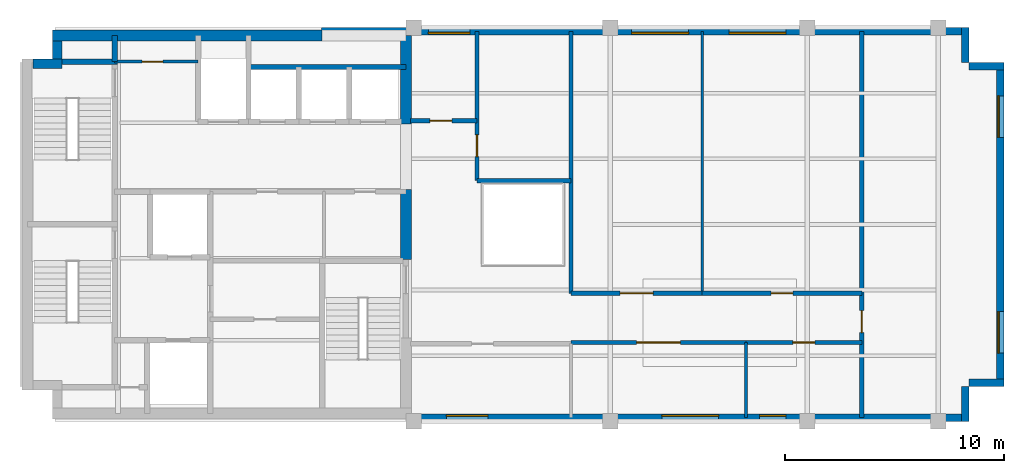
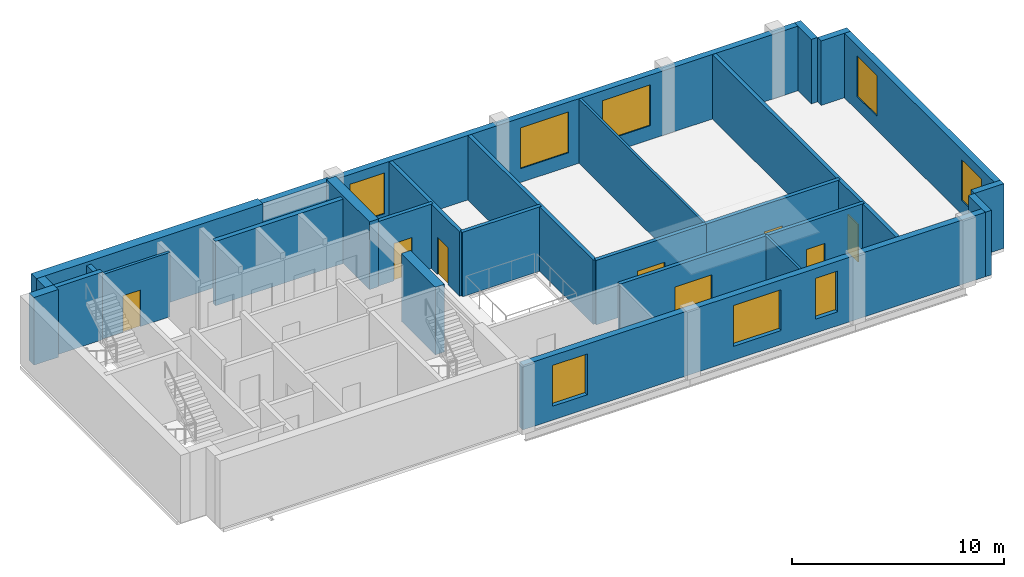
# One storey, part 3 of 5: 27 walls, 8 doors, 8 windows, 16 openings.
"""IFC4 building model written with IfcOpenShell, lengths in metres."""

from ifc_helpers import new_model, si_unit, direction, frame, frame_2d, origin, place, context, subcontext, project, spatial, rectangle, extrude, material, layer, layer_set, type_object, element, fill, save


model = new_model("IFC4")

# Units and contexts
model_context = context("Model", 3, precision=1e-05, world=origin(), true_north=direction((0.0, 1.0)))
body_context = subcontext(model_context, "Body", "Model", "MODEL_VIEW")
ifc_project = project(units=[si_unit("LENGTHUNIT", "METRE"), si_unit("AREAUNIT", "SQUARE_METRE"), si_unit("VOLUMEUNIT", "CUBIC_METRE"), si_unit("PLANEANGLEUNIT", "RADIAN"), si_unit("MASSUNIT", "GRAM", prefix="KILO")], contexts=[model_context])

# Site, building, storey
site_placement = place(None, origin())
site = spatial("IfcSite", under=ifc_project, at=site_placement, CompositionType="ELEMENT")
building_placement = place(site_placement, origin())
building = spatial("IfcBuilding", under=site, at=building_placement, Name="Mawjdan Bourse Tower", CompositionType="ELEMENT")
storey_placement = place(building_placement, frame((0.0, 0.0, 289.800048828125)))
storey = spatial("IfcBuildingStorey", under=building, at=storey_placement, Name="L71", CompositionType="ELEMENT", Elevation=289.800048828125)

# Wall, openings, windows
ifc_material_1 = material(Name="Brick Masonry Buff", Category="masonry")
ifc_layer_1 = layer(ifc_material_1, 0.340087890625)
ifc_layer_set_1 = layer_set([ifc_layer_1], Name="Brick Masonry Buff")
wall_type_1 = type_object("IfcWallType", Name="WL-BRK-SPN-340", PredefinedType="STANDARD", material=ifc_layer_set_1)
wall_1_placement = place(storey_placement, frame((23.89990234375, 3.169921875, 0.0), z_axis=(0.0, 0.0, 1.0), x_axis=(1.0, 0.0, 0.0)))
wall_1 = element("IfcWall", 1, at=wall_1_placement, inside=storey, type_object=wall_type_1, Name="L71 Exterior Brick Wall 1", PredefinedType="STANDARD", context=body_context, shape_type="SweptSolid", body=[
    extrude(rectangle(XDim=25.5, YDim=0.340087890625, at=frame_2d((12.75, 0.0))), origin(), (0.0, 0.0, 1.0), 3.71484375),
])
opening_1_placement = place(wall_1_placement, frame((1.60009765625, 0.0, 0.800048828125)))
opening_1 = element("IfcOpeningElement", 2, at=opening_1_placement, cuts=wall_1, Name="Opening W-L71-01", PredefinedType="OPENING", context=body_context, shape_type="SweptSolid", body=[
    extrude(rectangle(XDim=1.89990234375, YDim=2.35009765625, at=frame_2d((0.949951171875, 1.175048828125))), frame((0.0, 0.18017578125, 0.0), z_axis=(0.0, -1.0, 0.0), x_axis=(1.0, 0.0, 0.0)), (0.0, 0.0, 1.0), 0.360107421875),
])
opening_2_placement = place(wall_1_placement, frame((11.449951171875, 0.0, 0.800048828125)))
opening_2 = element("IfcOpeningElement", 3, at=opening_2_placement, cuts=wall_1, Name="Opening W-L71-02", PredefinedType="OPENING", context=body_context, shape_type="SweptSolid", body=[
    extrude(rectangle(XDim=2.60009765625, YDim=2.35009765625, at=frame_2d((1.300048828125, 1.175048828125))), frame((0.0, 0.18017578125, 0.0), z_axis=(0.0, -1.0, 0.0), x_axis=(1.0, 0.0, 0.0)), (0.0, 0.0, 1.0), 0.360107421875),
])
opening_3_placement = place(wall_1_placement, frame((15.9248046875, 0.0, 0.800048828125)))
opening_3 = element("IfcOpeningElement", 4, at=opening_3_placement, cuts=wall_1, Name="Opening W-L71-06", PredefinedType="OPENING", context=body_context, shape_type="SweptSolid", body=[
    extrude(rectangle(XDim=1.199951171875, YDim=2.35009765625, at=frame_2d((0.60009765625, 1.175048828125))), frame((0.0, 0.18017578125, 0.0), z_axis=(0.0, -1.0, 0.0), x_axis=(1.0, 0.0, 0.0)), (0.0, 0.0, 1.0), 0.360107421875),
])
ifc_material_2 = material(Name="Solar-Control Clear Double Glazing", Category="glass")
window_type_1 = type_object("IfcWindowType", Name="WN-SMT-1200", PartitioningType="SINGLE_PANEL", PredefinedType="WINDOW", material=ifc_material_2)
window_1_placement = place(opening_3_placement, origin())
window_1 = element("IfcWindow", 5, at=window_1_placement, inside=storey, type_object=window_type_1, Name="L71 Deep-Set Masonry Window W-L71-06", OverallHeight=2.35009765625, OverallWidth=1.199951171875, PartitioningType="SINGLE_PANEL", PredefinedType="WINDOW", context=body_context, shape_type="SweptSolid", body=[
    extrude(rectangle(XDim=1.199951171875, YDim=2.35009765625, at=frame_2d((0.60009765625, 1.175048828125))), frame((0.0, 0.110107421875, 0.0), z_axis=(0.0, -1.0, 0.0), x_axis=(1.0, 0.0, 0.0)), (0.0, 0.0, 1.0), 0.06005859375),
])
fill(opening_3, window_1)
window_type_2 = type_object("IfcWindowType", Name="WN-SMT-1900", PartitioningType="SINGLE_PANEL", PredefinedType="WINDOW", material=ifc_material_2)
window_2_placement = place(opening_1_placement, origin())
window_2 = element("IfcWindow", 6, at=window_2_placement, inside=storey, type_object=window_type_2, Name="L71 Deep-Set Masonry Window W-L71-01", OverallHeight=2.35009765625, OverallWidth=1.89990234375, PartitioningType="SINGLE_PANEL", PredefinedType="WINDOW", context=body_context, shape_type="SweptSolid", body=[
    extrude(rectangle(XDim=1.89990234375, YDim=2.35009765625, at=frame_2d((0.949951171875, 1.175048828125))), frame((0.0, 0.110107421875, 0.0), z_axis=(0.0, -1.0, 0.0), x_axis=(1.0, 0.0, 0.0)), (0.0, 0.0, 1.0), 0.06005859375),
])
fill(opening_1, window_2)
window_type_3 = type_object("IfcWindowType", Name="WN-SMT-2600", PartitioningType="SINGLE_PANEL", PredefinedType="WINDOW", material=ifc_material_2)
window_3_placement = place(opening_2_placement, origin())
window_3 = element("IfcWindow", 7, at=window_3_placement, inside=storey, type_object=window_type_3, Name="L71 Deep-Set Masonry Window W-L71-02", OverallHeight=2.35009765625, OverallWidth=2.60009765625, PartitioningType="SINGLE_PANEL", PredefinedType="WINDOW", context=body_context, shape_type="SweptSolid", body=[
    extrude(rectangle(XDim=2.60009765625, YDim=2.35009765625, at=frame_2d((1.300048828125, 1.175048828125))), frame((0.0, 0.110107421875, 0.0), z_axis=(0.0, -1.0, 0.0), x_axis=(1.0, 0.0, 0.0)), (0.0, 0.0, 1.0), 0.06005859375),
])
fill(opening_2, window_3)

# Walls
for number, where, z_axis, x_axis, name in (
    (8, (49.22998046875, 3.0, 0.0), (0.0, 0.0, 1.0), (0.0, 1.0, 0.0), "L71 Exterior Brick Wall 2"),
    (9, (49.39990234375, 4.77001953125, 0.0), (0.0, 0.0, 1.0), (1.0, 0.0, 0.0), "L71 Exterior Brick Wall 3"),
):
    element("IfcWall", number, at=place(storey_placement, frame(where, z_axis=z_axis, x_axis=x_axis)), inside=storey, type_object=wall_type_1, Name=name, PredefinedType="STANDARD", context=body_context, shape_type="SweptSolid", body=[
        extrude(rectangle(XDim=1.60009765625, YDim=0.340087890625, at=frame_2d((0.800048828125, 0.0))), origin(), (0.0, 0.0, 1.0), 3.71484375),
    ])

# Wall, openings, windows
wall_2_placement = place(storey_placement, frame((50.830078125, 4.60009765625, 0.0), z_axis=(0.0, 0.0, 1.0), x_axis=(0.0, 1.0, 0.0)))
wall_2 = element("IfcWall", 10, at=wall_2_placement, inside=storey, type_object=wall_type_1, Name="L71 Exterior Brick Wall 4", PredefinedType="STANDARD", context=body_context, shape_type="SweptSolid", body=[
    extrude(rectangle(XDim=14.7998046875, YDim=0.340087890625, at=frame_2d((7.39990234375, 0.0))), origin(), (0.0, 0.0, 1.0), 3.71484375),
])
opening_4_placement = place(wall_2_placement, frame((1.5166015625, 0.0, 0.800048828125)))
opening_4 = element("IfcOpeningElement", 11, at=opening_4_placement, cuts=wall_2, Name="Opening W-L71-03", PredefinedType="OPENING", context=body_context, shape_type="SweptSolid", body=[
    extrude(rectangle(XDim=1.89990234375, YDim=2.35009765625, at=frame_2d((0.949951171875, 1.175048828125))), frame((0.0, 0.18017578125, 0.0), z_axis=(0.0, -1.0, 0.0), x_axis=(1.0, 0.0, 0.0)), (0.0, 0.0, 1.0), 0.360107421875),
])
opening_5_placement = place(wall_2_placement, frame((11.38330078125, 0.0, 0.800048828125)))
opening_5 = element("IfcOpeningElement", 12, at=opening_5_placement, cuts=wall_2, Name="Opening W-L71-04", PredefinedType="OPENING", context=body_context, shape_type="SweptSolid", body=[
    extrude(rectangle(XDim=1.89990234375, YDim=2.35009765625, at=frame_2d((0.949951171875, 1.175048828125))), frame((0.0, 0.18017578125, 0.0), z_axis=(0.0, -1.0, 0.0), x_axis=(1.0, 0.0, 0.0)), (0.0, 0.0, 1.0), 0.360107421875),
])
window_4_placement = place(opening_4_placement, origin())
window_4 = element("IfcWindow", 13, at=window_4_placement, inside=storey, type_object=window_type_2, Name="L71 Deep-Set Masonry Window W-L71-03", OverallHeight=2.35009765625, OverallWidth=1.89990234375, PartitioningType="SINGLE_PANEL", PredefinedType="WINDOW", context=body_context, shape_type="SweptSolid", body=[
    extrude(rectangle(XDim=1.89990234375, YDim=2.35009765625, at=frame_2d((0.949951171875, 1.175048828125))), frame((0.0, 0.110107421875, 0.0), z_axis=(0.0, -1.0, 0.0), x_axis=(1.0, 0.0, 0.0)), (0.0, 0.0, 1.0), 0.06005859375),
])
fill(opening_4, window_4)
window_5_placement = place(opening_5_placement, origin())
window_5 = element("IfcWindow", 14, at=window_5_placement, inside=storey, type_object=window_type_2, Name="L71 Deep-Set Masonry Window W-L71-04", OverallHeight=2.35009765625, OverallWidth=1.89990234375, PartitioningType="SINGLE_PANEL", PredefinedType="WINDOW", context=body_context, shape_type="SweptSolid", body=[
    extrude(rectangle(XDim=1.89990234375, YDim=2.35009765625, at=frame_2d((0.949951171875, 1.175048828125))), frame((0.0, 0.110107421875, 0.0), z_axis=(0.0, -1.0, 0.0), x_axis=(1.0, 0.0, 0.0)), (0.0, 0.0, 1.0), 0.06005859375),
])
fill(opening_5, window_5)

# Walls
for number, where, z_axis, x_axis, name in (
    (15, (51.0, 19.22998046875, 0.0), (0.0, 0.0, 1.0), (-1.0, 0.0, 0.0), "L71 Exterior Brick Wall 5"),
    (16, (49.22998046875, 19.39990234375, 0.0), (0.0, 0.0, 1.0), (0.0, 1.0, 0.0), "L71 Exterior Brick Wall 6"),
):
    element("IfcWall", number, at=place(storey_placement, frame(where, z_axis=z_axis, x_axis=x_axis)), inside=storey, type_object=wall_type_1, Name=name, PredefinedType="STANDARD", context=body_context, shape_type="SweptSolid", body=[
        extrude(rectangle(XDim=1.60009765625, YDim=0.340087890625, at=frame_2d((0.800048828125, 0.0))), origin(), (0.0, 0.0, 1.0), 3.71484375),
    ])

# Wall, openings, windows
wall_3_placement = place(storey_placement, frame((49.39990234375, 20.830078125, 0.0), z_axis=(0.0, 0.0, 1.0), x_axis=(-1.0, 0.0, 0.0)))
wall_3 = element("IfcWall", 17, at=wall_3_placement, inside=storey, type_object=wall_type_1, Name="L71 Exterior Brick Wall 7", PredefinedType="STANDARD", context=body_context, shape_type="SweptSolid", body=[
    extrude(rectangle(XDim=29.619873046875, YDim=0.340087890625, at=frame_2d((14.81005859375, 0.0))), origin(), (0.0, 0.0, 1.0), 3.71484375),
])
opening_6_placement = place(wall_3_placement, frame((22.82568359375, 0.0, 0.800048828125)))
opening_6 = element("IfcOpeningElement", 18, at=opening_6_placement, cuts=wall_3, Name="Opening W-L71-05", PredefinedType="OPENING", context=body_context, shape_type="SweptSolid", body=[
    extrude(rectangle(XDim=1.89990234375, YDim=2.35009765625, at=frame_2d((0.949951171875, 1.175048828125))), frame((0.0, 0.18017578125, 0.0), z_axis=(0.0, -1.0, 0.0), x_axis=(1.0, 0.0, 0.0)), (0.0, 0.0, 1.0), 0.360107421875),
])
opening_7_placement = place(wall_3_placement, frame((12.82470703125, 0.0, 0.800048828125)))
opening_7 = element("IfcOpeningElement", 19, at=opening_7_placement, cuts=wall_3, Name="Opening W-L71-07", PredefinedType="OPENING", context=body_context, shape_type="SweptSolid", body=[
    extrude(rectangle(XDim=2.60009765625, YDim=2.35009765625, at=frame_2d((1.300048828125, 1.175048828125))), frame((0.0, 0.18017578125, 0.0), z_axis=(0.0, -1.0, 0.0), x_axis=(1.0, 0.0, 0.0)), (0.0, 0.0, 1.0), 0.360107421875),
])
opening_8_placement = place(wall_3_placement, frame((8.374755859375, 0.0, 0.800048828125)))
opening_8 = element("IfcOpeningElement", 20, at=opening_8_placement, cuts=wall_3, Name="Opening W-L71-08", PredefinedType="OPENING", context=body_context, shape_type="SweptSolid", body=[
    extrude(rectangle(XDim=2.60009765625, YDim=2.35009765625, at=frame_2d((1.300048828125, 1.175048828125))), frame((0.0, 0.18017578125, 0.0), z_axis=(0.0, -1.0, 0.0), x_axis=(1.0, 0.0, 0.0)), (0.0, 0.0, 1.0), 0.360107421875),
])
window_6_placement = place(opening_6_placement, origin())
window_6 = element("IfcWindow", 21, at=window_6_placement, inside=storey, type_object=window_type_2, Name="L71 Deep-Set Masonry Window W-L71-05", OverallHeight=2.35009765625, OverallWidth=1.89990234375, PartitioningType="SINGLE_PANEL", PredefinedType="WINDOW", context=body_context, shape_type="SweptSolid", body=[
    extrude(rectangle(XDim=1.89990234375, YDim=2.35009765625, at=frame_2d((0.949951171875, 1.175048828125))), frame((0.0, 0.110107421875, 0.0), z_axis=(0.0, -1.0, 0.0), x_axis=(1.0, 0.0, 0.0)), (0.0, 0.0, 1.0), 0.06005859375),
])
fill(opening_6, window_6)
window_7_placement = place(opening_7_placement, origin())
window_7 = element("IfcWindow", 22, at=window_7_placement, inside=storey, type_object=window_type_3, Name="L71 Deep-Set Masonry Window W-L71-07", OverallHeight=2.35009765625, OverallWidth=2.60009765625, PartitioningType="SINGLE_PANEL", PredefinedType="WINDOW", context=body_context, shape_type="SweptSolid", body=[
    extrude(rectangle(XDim=2.60009765625, YDim=2.35009765625, at=frame_2d((1.300048828125, 1.175048828125))), frame((0.0, 0.110107421875, 0.0), z_axis=(0.0, -1.0, 0.0), x_axis=(1.0, 0.0, 0.0)), (0.0, 0.0, 1.0), 0.06005859375),
])
fill(opening_7, window_7)
window_8_placement = place(opening_8_placement, origin())
window_8 = element("IfcWindow", 23, at=window_8_placement, inside=storey, type_object=window_type_3, Name="L71 Deep-Set Masonry Window W-L71-08", OverallHeight=2.35009765625, OverallWidth=2.60009765625, PartitioningType="SINGLE_PANEL", PredefinedType="WINDOW", context=body_context, shape_type="SweptSolid", body=[
    extrude(rectangle(XDim=2.60009765625, YDim=2.35009765625, at=frame_2d((1.300048828125, 1.175048828125))), frame((0.0, 0.110107421875, 0.0), z_axis=(0.0, -1.0, 0.0), x_axis=(1.0, 0.0, 0.0)), (0.0, 0.0, 1.0), 0.06005859375),
])
fill(opening_8, window_8)

# Wall, opening, door
ifc_material_3 = material(Name="Gypsum Fireboard Assembly")
ifc_layer_2 = layer(ifc_material_3, 0.199951171875)
ifc_layer_set_2 = layer_set([ifc_layer_2], Name="Gypsum Fireboard Assembly")
wall_type_2 = type_object("IfcWallType", Name="WL-CMP-200", PredefinedType="PARTITIONING", material=ifc_layer_set_2)
wall_4_placement = place(storey_placement, frame((23.85009765625, 16.75, 0.0), z_axis=(0.0, 0.0, 1.0), x_axis=(1.0, 0.0, 0.0)))
wall_4 = element("IfcWall", 24, at=wall_4_placement, inside=storey, type_object=wall_type_2, Name="L71 Summit NW Study South Wall", PredefinedType="PARTITIONING", context=body_context, shape_type="SweptSolid", body=[
    extrude(rectangle(XDim=3.0498046875, YDim=0.199951171875, at=frame_2d((1.52490234375, 0.0))), origin(), (0.0, 0.0, 1.0), 3.704833984375),
])
opening_9_placement = place(wall_4_placement, frame((0.89990234375, 0.0, 0.0)))
opening_9 = element("IfcOpeningElement", 25, at=opening_9_placement, cuts=wall_4, Name="Opening D-L71-18", PredefinedType="OPENING", context=body_context, shape_type="SweptSolid", body=[
    extrude(rectangle(XDim=1.0, YDim=2.14990234375, at=frame_2d((0.5, 1.074951171875))), frame((0.0, 0.10986328125, 0.0), z_axis=(0.0, -1.0, 0.0), x_axis=(1.0, 0.0, 0.0)), (0.0, 0.0, 1.0), 0.219970703125),
])
ifc_material_4 = material(Name="Hardwood Acoustic Leaf", Category="wood")
door_type_1 = type_object("IfcDoorType", Name="DR-OFC-1000", OperationType="NOTDEFINED", PredefinedType="DOOR", material=ifc_material_4)
door_1_placement = place(opening_9_placement, origin())
door_1 = element("IfcDoor", 26, at=door_1_placement, inside=storey, type_object=door_type_1, Name="L71 Summit NW Study Door D-L71-18", OperationType="SINGLE_SWING_LEFT", OverallHeight=2.14990234375, OverallWidth=1.0, PredefinedType="DOOR", context=body_context, shape_type="SweptSolid", body=[
    extrude(rectangle(XDim=1.0, YDim=2.14990234375, at=frame_2d((0.5, 1.074951171875))), frame((0.0, 0.02490234375, 0.0), z_axis=(0.0, -1.0, 0.0), x_axis=(1.0, 0.0, 0.0)), (0.0, 0.0, 1.0), 0.050048828125),
])
fill(opening_9, door_1)

wall_5_placement = place(storey_placement, frame((26.89990234375, 14.0, 0.0), z_axis=(0.0, 0.0, 1.0), x_axis=(0.0, 1.0, 0.0)))
wall_5 = element("IfcWall", 27, at=wall_5_placement, inside=storey, type_object=wall_type_2, Name="L71 Summit North Atrium Suite West Wall", PredefinedType="PARTITIONING", context=body_context, shape_type="SweptSolid", body=[
    extrude(rectangle(XDim=6.820068359375, YDim=0.199951171875, at=frame_2d((3.41015625, 0.0))), origin(), (0.0, 0.0, 1.0), 3.704833984375),
])
opening_10_placement = place(wall_5_placement, frame((1.10009765625, 0.0, 0.0)))
opening_10 = element("IfcOpeningElement", 28, at=opening_10_placement, cuts=wall_5, Name="Opening D-L71-19", PredefinedType="OPENING", context=body_context, shape_type="SweptSolid", body=[
    extrude(rectangle(XDim=1.0, YDim=2.14990234375, at=frame_2d((0.5, 1.074951171875))), frame((0.0, 0.10986328125, 0.0), z_axis=(0.0, -1.0, 0.0), x_axis=(1.0, 0.0, 0.0)), (0.0, 0.0, 1.0), 0.219970703125),
])
door_2_placement = place(opening_10_placement, origin())
door_2 = element("IfcDoor", 29, at=door_2_placement, inside=storey, type_object=door_type_1, Name="L71 Summit North Atrium Suite Door D-L71-19", OperationType="SINGLE_SWING_RIGHT", OverallHeight=2.14990234375, OverallWidth=1.0, PredefinedType="DOOR", context=body_context, shape_type="SweptSolid", body=[
    extrude(rectangle(XDim=1.0, YDim=2.14990234375, at=frame_2d((0.5, 1.074951171875))), frame((0.0, 0.02490234375, 0.0), z_axis=(0.0, -1.0, 0.0), x_axis=(1.0, 0.0, 0.0)), (0.0, 0.0, 1.0), 0.050048828125),
])
fill(opening_10, door_2)

# Walls
wall_6_placement = place(storey_placement, frame((26.89990234375, 14.0, 0.0), z_axis=(0.0, 0.0, 1.0), x_axis=(1.0, 0.0, 0.0)))
element("IfcWall", 30, at=wall_6_placement, inside=storey, type_object=wall_type_2, Name="L71 Summit North Atrium Suite South Wall", PredefinedType="PARTITIONING", context=body_context, shape_type="SweptSolid", body=[
    extrude(rectangle(XDim=4.300048828125, YDim=0.199951171875, at=frame_2d((2.14990234375, 0.0))), origin(), (0.0, 0.0, 1.0), 3.704833984375),
])
wall_7_placement = place(storey_placement, frame((31.199951171875, 8.85009765625, 0.0), z_axis=(0.0, 0.0, 1.0), x_axis=(0.0, 1.0, 0.0)))
element("IfcWall", 31, at=wall_7_placement, inside=storey, type_object=wall_type_2, Name="L71 Summit North Atrium Suite East Wall", PredefinedType="PARTITIONING", context=body_context, shape_type="SweptSolid", body=[
    extrude(rectangle(XDim=11.969970703125, YDim=0.199951171875, at=frame_2d((5.98486328125, 0.0))), origin(), (0.0, 0.0, 1.0), 3.704833984375),
])

# Wall, opening, door
wall_8_placement = place(storey_placement, frame((31.199951171875, 6.60009765625, 0.0), z_axis=(0.0, 0.0, 1.0), x_axis=(1.0, 0.0, 0.0)))
wall_8 = element("IfcWall", 32, at=wall_8_placement, inside=storey, type_object=wall_type_2, Name="L71 Summit Investment Hall Corridor Wall", PredefinedType="PARTITIONING", context=body_context, shape_type="SweptSolid", body=[
    extrude(rectangle(XDim=8.0, YDim=0.199951171875, at=frame_2d((4.0, 0.0))), origin(), (0.0, 0.0, 1.0), 3.704833984375),
])
opening_11_placement = place(wall_8_placement, frame((3.0, 0.0, 0.0)))
opening_11 = element("IfcOpeningElement", 33, at=opening_11_placement, cuts=wall_8, Name="Opening D-L71-20", PredefinedType="OPENING", context=body_context, shape_type="SweptSolid", body=[
    extrude(rectangle(XDim=2.0, YDim=2.5, at=frame_2d((1.0, 1.25))), frame((0.0, 0.10986328125, 0.0), z_axis=(0.0, -1.0, 0.0), x_axis=(1.0, 0.0, 0.0)), (0.0, 0.0, 1.0), 0.219970703125),
])
ifc_material_5 = material(Name="Acoustic Veneered Timber", Category="wood")
door_type_2 = type_object("IfcDoorType", Name="DR-ASM-2000", OperationType="DOUBLE_DOOR_SINGLE_SWING", PredefinedType="DOOR", material=ifc_material_5)
door_3_placement = place(opening_11_placement, origin())
door_3 = element("IfcDoor", 34, at=door_3_placement, inside=storey, type_object=door_type_2, Name="L71 Summit Investment Hall Door D-L71-20", OperationType="DOUBLE_DOOR_SINGLE_SWING", OverallHeight=2.5, OverallWidth=2.0, PredefinedType="DOOR", context=body_context, shape_type="SweptSolid", body=[
    extrude(rectangle(XDim=2.0, YDim=2.5, at=frame_2d((1.0, 1.25))), frame((0.0, 0.02490234375, 0.0), z_axis=(0.0, -1.0, 0.0), x_axis=(1.0, 0.0, 0.0)), (0.0, 0.0, 1.0), 0.050048828125),
])
fill(opening_11, door_3)

wall_9_placement = place(storey_placement, frame((39.199951171875, 6.60009765625, 0.0), z_axis=(0.0, 0.0, 1.0), x_axis=(1.0, 0.0, 0.0)))
wall_9 = element("IfcWall", 35, at=wall_9_placement, inside=storey, type_object=wall_type_2, Name="L71 Executive Office Corridor Wall", PredefinedType="PARTITIONING", context=body_context, shape_type="SweptSolid", body=[
    extrude(rectangle(XDim=5.300048828125, YDim=0.199951171875, at=frame_2d((2.64990234375, 0.0))), origin(), (0.0, 0.0, 1.0), 3.704833984375),
])
opening_12_placement = place(wall_9_placement, frame((2.14990234375, 0.0, 0.0)))
opening_12 = element("IfcOpeningElement", 36, at=opening_12_placement, cuts=wall_9, Name="Opening D-L71-21", PredefinedType="OPENING", context=body_context, shape_type="SweptSolid", body=[
    extrude(rectangle(XDim=1.0, YDim=2.14990234375, at=frame_2d((0.5, 1.074951171875))), frame((0.0, 0.10986328125, 0.0), z_axis=(0.0, -1.0, 0.0), x_axis=(1.0, 0.0, 0.0)), (0.0, 0.0, 1.0), 0.219970703125),
])
door_4_placement = place(opening_12_placement, origin())
door_4 = element("IfcDoor", 37, at=door_4_placement, inside=storey, type_object=door_type_1, Name="L71 Executive Office Door D-L71-21", OperationType="SINGLE_SWING_LEFT", OverallHeight=2.14990234375, OverallWidth=1.0, PredefinedType="DOOR", context=body_context, shape_type="SweptSolid", body=[
    extrude(rectangle(XDim=1.0, YDim=2.14990234375, at=frame_2d((0.5, 1.074951171875))), frame((0.0, 0.02490234375, 0.0), z_axis=(0.0, -1.0, 0.0), x_axis=(1.0, 0.0, 0.0)), (0.0, 0.0, 1.0), 0.050048828125),
])
fill(opening_12, door_4)

wall_10_placement = place(storey_placement, frame((31.199951171875, 8.85009765625, 0.0), z_axis=(0.0, 0.0, 1.0), x_axis=(1.0, 0.0, 0.0)))
wall_10 = element("IfcWall", 38, at=wall_10_placement, inside=storey, type_object=wall_type_2, Name="L71 Conference Room Corridor Wall", PredefinedType="PARTITIONING", context=body_context, shape_type="SweptSolid", body=[
    extrude(rectangle(XDim=6.0, YDim=0.199951171875, at=frame_2d((3.0, 0.0))), origin(), (0.0, 0.0, 1.0), 3.704833984375),
])
opening_13_placement = place(wall_10_placement, frame((2.25, 0.0, 0.0)))
opening_13 = element("IfcOpeningElement", 39, at=opening_13_placement, cuts=wall_10, Name="Opening D-L71-22", PredefinedType="OPENING", context=body_context, shape_type="SweptSolid", body=[
    extrude(rectangle(XDim=1.5, YDim=2.300048828125, at=frame_2d((0.75, 1.14990234375))), frame((0.0, 0.10986328125, 0.0), z_axis=(0.0, -1.0, 0.0), x_axis=(1.0, 0.0, 0.0)), (0.0, 0.0, 1.0), 0.219970703125),
])
ifc_material_6 = material(Name="Acoustic Glazed Timber", Category="wood")
door_type_3 = type_object("IfcDoorType", Name="DR-CNF-1500", OperationType="DOUBLE_DOOR_SINGLE_SWING", PredefinedType="DOOR", material=ifc_material_6)
door_5_placement = place(opening_13_placement, origin())
door_5 = element("IfcDoor", 40, at=door_5_placement, inside=storey, type_object=door_type_3, Name="L71 Conference Room Door D-L71-22", OperationType="DOUBLE_DOOR_SINGLE_SWING", OverallHeight=2.300048828125, OverallWidth=1.5, PredefinedType="DOOR", context=body_context, shape_type="SweptSolid", body=[
    extrude(rectangle(XDim=1.5, YDim=2.300048828125, at=frame_2d((0.75, 1.14990234375))), frame((0.0, 0.02490234375, 0.0), z_axis=(0.0, -1.0, 0.0), x_axis=(1.0, 0.0, 0.0)), (0.0, 0.0, 1.0), 0.050048828125),
])
fill(opening_13, door_5)

wall_11_placement = place(storey_placement, frame((37.199951171875, 8.85009765625, 0.0), z_axis=(0.0, 0.0, 1.0), x_axis=(1.0, 0.0, 0.0)))
wall_11 = element("IfcWall", 41, at=wall_11_placement, inside=storey, type_object=wall_type_2, Name="L71 Chief Risk Officer Office Corridor Wall", PredefinedType="PARTITIONING", context=body_context, shape_type="SweptSolid", body=[
    extrude(rectangle(XDim=7.300048828125, YDim=0.199951171875, at=frame_2d((3.64990234375, 0.0))), origin(), (0.0, 0.0, 1.0), 3.704833984375),
])
opening_14_placement = place(wall_11_placement, frame((3.14990234375, 0.0, 0.0)))
opening_14 = element("IfcOpeningElement", 42, at=opening_14_placement, cuts=wall_11, Name="Opening D-L71-23", PredefinedType="OPENING", context=body_context, shape_type="SweptSolid", body=[
    extrude(rectangle(XDim=1.0, YDim=2.14990234375, at=frame_2d((0.5, 1.074951171875))), frame((0.0, 0.10986328125, 0.0), z_axis=(0.0, -1.0, 0.0), x_axis=(1.0, 0.0, 0.0)), (0.0, 0.0, 1.0), 0.219970703125),
])
door_6_placement = place(opening_14_placement, origin())
door_6 = element("IfcDoor", 43, at=door_6_placement, inside=storey, type_object=door_type_1, Name="L71 Chief Risk Officer Office Door D-L71-23", OperationType="SINGLE_SWING_RIGHT", OverallHeight=2.14990234375, OverallWidth=1.0, PredefinedType="DOOR", context=body_context, shape_type="SweptSolid", body=[
    extrude(rectangle(XDim=1.0, YDim=2.14990234375, at=frame_2d((0.5, 1.074951171875))), frame((0.0, 0.02490234375, 0.0), z_axis=(0.0, -1.0, 0.0), x_axis=(1.0, 0.0, 0.0)), (0.0, 0.0, 1.0), 0.050048828125),
])
fill(opening_14, door_6)

wall_12_placement = place(storey_placement, frame((44.5, 3.179931640625, 0.0), z_axis=(0.0, 0.0, 1.0), x_axis=(0.0, 1.0, 0.0)))
wall_12 = element("IfcWall", 44, at=wall_12_placement, inside=storey, type_object=wall_type_2, Name="L71 East Tip Full Cross Wall", PredefinedType="PARTITIONING", context=body_context, shape_type="SweptSolid", body=[
    extrude(rectangle(XDim=17.64013671875, YDim=0.199951171875, at=frame_2d((8.820068359375, 0.0))), origin(), (0.0, 0.0, 1.0), 3.704833984375),
])
opening_15_placement = place(wall_12_placement, frame((3.875, 0.0, 0.0)))
opening_15 = element("IfcOpeningElement", 45, at=opening_15_placement, cuts=wall_12, Name="Opening D-L71-24", PredefinedType="OPENING", context=body_context, shape_type="SweptSolid", body=[
    extrude(rectangle(XDim=1.0, YDim=2.14990234375, at=frame_2d((0.5, 1.074951171875))), frame((0.0, 0.10986328125, 0.0), z_axis=(0.0, -1.0, 0.0), x_axis=(1.0, 0.0, 0.0)), (0.0, 0.0, 1.0), 0.219970703125),
])
door_7_placement = place(opening_15_placement, origin())
door_7 = element("IfcDoor", 46, at=door_7_placement, inside=storey, type_object=door_type_1, Name="L71 East Tip Hall Door D-L71-24", OperationType="SINGLE_SWING_LEFT", OverallHeight=2.14990234375, OverallWidth=1.0, PredefinedType="DOOR", context=body_context, shape_type="SweptSolid", body=[
    extrude(rectangle(XDim=1.0, YDim=2.14990234375, at=frame_2d((0.5, 1.074951171875))), frame((0.0, 0.02490234375, 0.0), z_axis=(0.0, -1.0, 0.0), x_axis=(1.0, 0.0, 0.0)), (0.0, 0.0, 1.0), 0.050048828125),
])
fill(opening_15, door_7)

# Walls
ifc_material_7 = material(Name="Concrete C60/75", Category="concrete")
ifc_layer_3 = layer(ifc_material_7, 0.449951171875)
ifc_layer_set_3 = layer_set([ifc_layer_3], Name="Concrete C60/75")
wall_type_3 = type_object("IfcWallType", Name="WL-CORE-450", PredefinedType="SHEAR", material=ifc_layer_set_3)
wall_13_placement = place(storey_placement, frame((6.60009765625, 19.35009765625, 0.0), z_axis=(0.0, 0.0, 1.0), x_axis=(1.0, 0.0, 0.0)))
element("IfcWall", 47, at=wall_13_placement, inside=storey, type_object=wall_type_3, Name="L71 Rear Core Shear Wall NW-X", PredefinedType="SHEAR", context=body_context, shape_type="SweptSolid", body=[
    extrude(rectangle(XDim=1.324951171875, YDim=0.449951171875, at=frame_2d((0.66259765625, 0.0))), origin(), (0.0, 0.0, 1.0), 3.89990234375),
])
wall_14_placement = place(storey_placement, frame((7.699951171875, 19.574951171875, 0.0), z_axis=(0.0, 0.0, 1.0), x_axis=(0.0, 1.0, 0.0)))
element("IfcWall", 48, at=wall_14_placement, inside=storey, type_object=wall_type_3, Name="L71 Rear Core Shear Wall NW-Y", PredefinedType="SHEAR", context=body_context, shape_type="SweptSolid", body=[
    extrude(rectangle(XDim=0.824951171875, YDim=0.449951171875, at=frame_2d((0.41259765625, 0.0))), origin(), (0.0, 0.0, 1.0), 3.89990234375),
])
ifc_layer_4 = layer(ifc_material_7, 0.5)
ifc_layer_set_4 = layer_set([ifc_layer_4], Name="Concrete C60/75")
wall_type_4 = type_object("IfcWallType", Name="WL-CORE-500", PredefinedType="SHEAR", material=ifc_layer_set_4)
wall_15_placement = place(storey_placement, frame((7.47509765625, 20.64990234375, 0.0), z_axis=(0.0, 0.0, 1.0), x_axis=(1.0, 0.0, 0.0)))
element("IfcWall", 49, at=wall_15_placement, inside=storey, type_object=wall_type_4, Name="L71 Rear Core Shear Wall N", PredefinedType="SHEAR", context=body_context, shape_type="SweptSolid", body=[
    extrude(rectangle(XDim=12.324951171875, YDim=0.5, at=frame_2d((6.16259765625, 0.0))), origin(), (0.0, 0.0, 1.0), 3.89990234375),
])
wall_16_placement = place(storey_placement, frame((23.64990234375, 10.39990234375, 0.0), z_axis=(0.0, 0.0, 1.0), x_axis=(0.0, 1.0, 0.0)))
element("IfcWall", 50, at=wall_16_placement, inside=storey, type_object=wall_type_4, Name="L71 Rear Core Shear Wall E2", PredefinedType="SHEAR", context=body_context, shape_type="SweptSolid", body=[
    extrude(rectangle(XDim=3.2001953125, YDim=0.5, at=frame_2d((1.60009765625, 0.0))), origin(), (0.0, 0.0, 1.0), 3.89990234375),
])
wall_17_placement = place(storey_placement, frame((23.64990234375, 16.60009765625, 0.0), z_axis=(0.0, 0.0, 1.0), x_axis=(0.0, 1.0, 0.0)))
element("IfcWall", 51, at=wall_17_placement, inside=storey, type_object=wall_type_4, Name="L71 Rear Core Shear Wall E3", PredefinedType="SHEAR", context=body_context, shape_type="SweptSolid", body=[
    extrude(rectangle(XDim=4.0498046875, YDim=0.5, at=frame_2d((2.02490234375, 0.0))), origin(), (0.0, 0.0, 1.0), 3.89990234375),
])
ifc_material_8 = material(Name="Gypsum Partition")
ifc_layer_5 = layer(ifc_material_8, 0.125)
ifc_layer_set_5 = layer_set([ifc_layer_5], Name="Gypsum Partition")
wall_type_5 = type_object("IfcWallType", Name="WL-PRT-125", PredefinedType="PARTITIONING", material=ifc_layer_set_5)
wall_18_placement = place(storey_placement, frame((39.199951171875, 3.179931640625, 0.0), z_axis=(0.0, 0.0, 1.0), x_axis=(0.0, 1.0, 0.0)))
element("IfcWall", 52, at=wall_18_placement, inside=storey, type_object=wall_type_5, Name="L71 Executive Office Partition", PredefinedType="PARTITIONING", context=body_context, shape_type="SweptSolid", body=[
    extrude(rectangle(XDim=3.420166015625, YDim=0.125, at=frame_2d((1.7099609375, 0.0))), origin(), (0.0, 0.0, 1.0), 3.704833984375),
])
wall_19_placement = place(storey_placement, frame((37.199951171875, 8.85009765625, 0.0), z_axis=(0.0, 0.0, 1.0), x_axis=(0.0, 1.0, 0.0)))
element("IfcWall", 53, at=wall_19_placement, inside=storey, type_object=wall_type_5, Name="L71 Chief Risk Officer Office Partition", PredefinedType="PARTITIONING", context=body_context, shape_type="SweptSolid", body=[
    extrude(rectangle(XDim=11.969970703125, YDim=0.125, at=frame_2d((5.98486328125, 0.0))), origin(), (0.0, 0.0, 1.0), 3.704833984375),
])

# Wall, opening, door
ifc_material_9 = material(Name="Gypsum Acoustic Partition")
ifc_layer_6 = layer(ifc_material_9, 0.14990234375)
ifc_layer_set_6 = layer_set([ifc_layer_6], Name="Gypsum Acoustic Partition")
wall_type_6 = type_object("IfcWallType", Name="WL-PRT-150", PredefinedType="PARTITIONING", material=ifc_layer_set_6)
wall_20_placement = place(storey_placement, frame((10.330078125, 19.449951171875, 0.0), z_axis=(0.0, 0.0, 1.0), x_axis=(1.0, 0.0, 0.0)))
wall_20 = element("IfcWall", 54, at=wall_20_placement, inside=storey, type_object=wall_type_6, Name="L71 Housekeeping South Wall", PredefinedType="PARTITIONING", context=body_context, shape_type="SweptSolid", body=[
    extrude(rectangle(XDim=3.81982421875, YDim=0.14990234375, at=frame_2d((1.909912109375, 0.0))), origin(), (0.0, 0.0, 1.0), 3.704833984375),
])
opening_16_placement = place(wall_20_placement, frame((1.25, 0.0, 0.0)))
opening_16 = element("IfcOpeningElement", 55, at=opening_16_placement, cuts=wall_20, Name="Opening D-L71-16", PredefinedType="OPENING", context=body_context, shape_type="SweptSolid", body=[
    extrude(rectangle(XDim=0.949951171875, YDim=2.10009765625, at=frame_2d((0.47509765625, 1.050048828125))), frame((0.0, 0.0849609375, 0.0), z_axis=(0.0, -1.0, 0.0), x_axis=(1.0, 0.0, 0.0)), (0.0, 0.0, 1.0), 0.169921875),
])
ifc_material_10 = material(Name="Moisture-Resistant Laminate Timber", Category="wood")
door_type_4 = type_object("IfcDoorType", Name="DR-WET-0950", OperationType="NOTDEFINED", PredefinedType="DOOR", material=ifc_material_10)
door_8_placement = place(opening_16_placement, origin())
door_8 = element("IfcDoor", 56, at=door_8_placement, inside=storey, type_object=door_type_4, Name="L71 Housekeeping Closet Door D-L71-16", OperationType="SINGLE_SWING_LEFT", OverallHeight=2.10009765625, OverallWidth=0.949951171875, PredefinedType="DOOR", context=body_context, shape_type="SweptSolid", body=[
    extrude(rectangle(XDim=0.949951171875, YDim=2.10009765625, at=frame_2d((0.47509765625, 1.050048828125))), frame((0.0, 0.02490234375, 0.0), z_axis=(0.0, -1.0, 0.0), x_axis=(1.0, 0.0, 0.0)), (0.0, 0.0, 1.0), 0.050048828125),
])
fill(opening_16, door_8)

# Walls
ifc_material_11 = material(Name="Concrete C50/60", Category="concrete")
ifc_layer_7 = layer(ifc_material_11, 0.25)
ifc_layer_set_7 = layer_set([ifc_layer_7], Name="Concrete C50/60")
wall_type_7 = type_object("IfcWallType", Name="WL-SHFT-250", PredefinedType="PARTITIONING", material=ifc_layer_set_7)
wall_21_placement = place(storey_placement, frame((10.330078125, 19.449951171875, 0.0), z_axis=(0.0, 0.0, 1.0), x_axis=(0.0, 1.0, 0.0)))
element("IfcWall", 57, at=wall_21_placement, inside=storey, type_object=wall_type_7, Name="L71 NW Riser East Wall", PredefinedType="PARTITIONING", context=body_context, shape_type="SweptSolid", body=[
    extrude(rectangle(XDim=1.199951171875, YDim=0.25, at=frame_2d((0.60009765625, 0.0))), origin(), (0.0, 0.0, 1.0), 3.704833984375),
])
wall_22_placement = place(storey_placement, frame((16.449951171875, 19.199951171875, 0.0), z_axis=(0.0, 0.0, 1.0), x_axis=(1.0, 0.0, 0.0)))
element("IfcWall", 58, at=wall_22_placement, inside=storey, type_object=wall_type_7, Name="L71 PH Bank North Shaft Back Wall", PredefinedType="PARTITIONING", context=body_context, shape_type="SweptSolid", body=[
    extrude(rectangle(XDim=7.199951171875, YDim=0.25, at=frame_2d((3.60009765625, 0.0))), origin(), (0.0, 0.0, 1.0), 3.704833984375),
])
ifc_layer_8 = layer(ifc_material_11, 0.25)
ifc_layer_set_8 = layer_set([ifc_layer_8], Name="Concrete C50/60")
wall_type_8 = type_object("IfcWallType", Name="WL-STRW-250", PredefinedType="SHEAR", material=ifc_layer_set_8)
wall_23_placement = place(storey_placement, frame((7.699951171875, 19.449951171875, 0.0), z_axis=(0.0, 0.0, 1.0), x_axis=(1.0, 0.0, 0.0)))
element("IfcWall", 59, at=wall_23_placement, inside=storey, type_object=wall_type_8, Name="L71 Stairwell ST2 North Shaft Wall", PredefinedType="SHEAR", context=body_context, shape_type="SweptSolid", body=[
    extrude(rectangle(XDim=2.755126953125, YDim=0.25, at=frame_2d((1.37744140625, 0.0))), origin(), (0.0, 0.0, 1.0), 3.89990234375),
])

save(model, "model.ifc")
